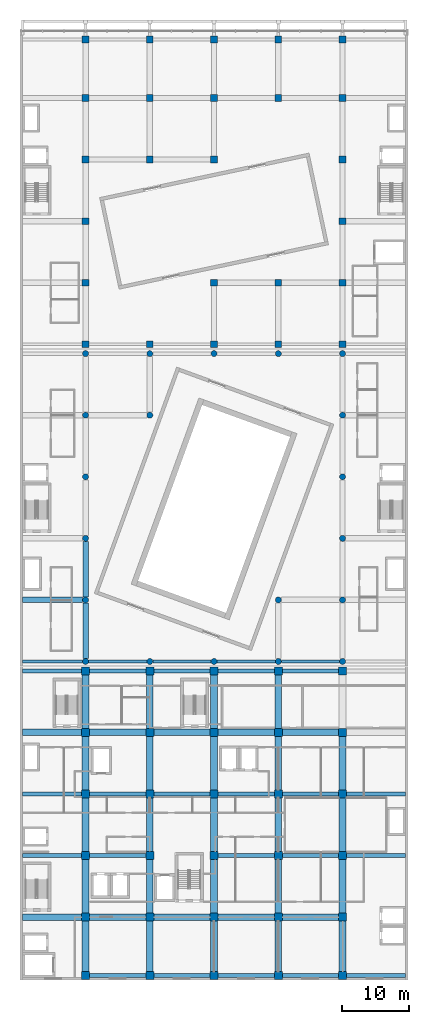
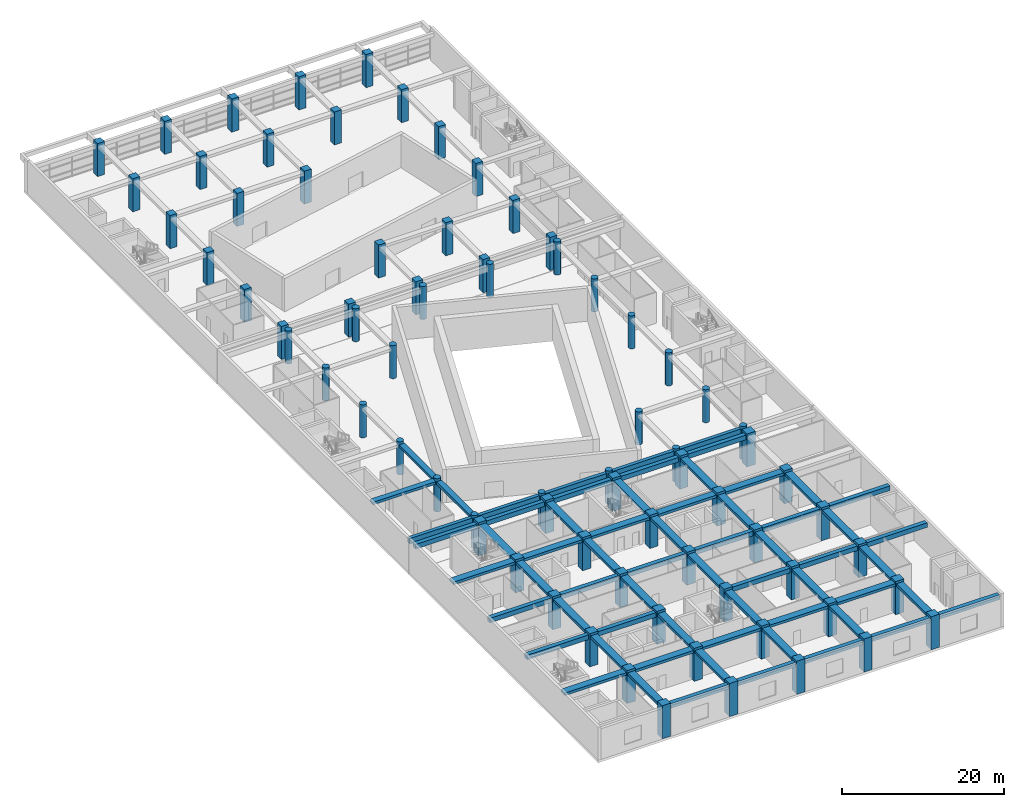
# One storey, part 1 of 31: 75 columns, 63 beams.
"""IFC4 building model written with IfcOpenShell, lengths in metres."""

from ifc_helpers import new_model, si_unit, direction, frame, origin, origin_2d, place, context, subcontext, project, spatial, rectangle, circle, extrude, material, material_profile, profile_set, type_object, element, save


model = new_model("IFC4")

# Units and contexts
model_context = context("Model", 3, precision=1e-05, world=origin(), true_north=direction((0.0, 1.0)))
body_context = subcontext(model_context, "Body", "Model", "MODEL_VIEW")
ifc_project = project(units=[si_unit("LENGTHUNIT", "METRE"), si_unit("AREAUNIT", "SQUARE_METRE"), si_unit("VOLUMEUNIT", "CUBIC_METRE"), si_unit("PLANEANGLEUNIT", "RADIAN"), si_unit("MASSUNIT", "GRAM", prefix="KILO")], contexts=[model_context])

# Site, building, storey
site_placement = place(None, origin())
site = spatial("IfcSite", under=ifc_project, at=site_placement, CompositionType="ELEMENT")
building_placement = place(site_placement, origin())
building = spatial("IfcBuilding", under=site, at=building_placement, Name="Nzadi Deep Aquarium and Research Tower", CompositionType="ELEMENT")
storey_placement = place(building_placement, frame((0.0, 0.0, 21.699951171875)))
storey = spatial("IfcBuildingStorey", under=building, at=storey_placement, Name="L03", CompositionType="ELEMENT", Elevation=21.699951171875)

# Columns
ifc_material_1 = material(Name="Concrete C40/50", Category="concrete")
ifc_material_profile_1 = material_profile(ifc_material_1, rectangle(XDim=1.0, YDim=1.0, at=origin_2d()))
ifc_profile_set_1 = profile_set([ifc_material_profile_1], Name="Concrete C40/50")
column_type_1 = type_object("IfcColumnType", Name="RC 1000x1000", PredefinedType="COLUMN", material=ifc_profile_set_1)
for number, where, z_axis, x_axis, name in (
    (1, (9.60009765625, 94.800048828125, 0.0), (0.0, 0.0, 1.0), (1.0, 0.0, 0.0), "C-Z3-L03-B13"),
    (2, (19.199951171875, 94.800048828125, 0.0), (0.0, 0.0, 1.0), (1.0, 0.0, 0.0), "C-Z3-L03-C13"),
    (3, (28.800048828125, 94.800048828125, 0.0), (0.0, 0.0, 1.0), (1.0, 0.0, 0.0), "C-Z3-L03-D13"),
    (4, (38.39990234375, 94.800048828125, 0.0), (0.0, 0.0, 1.0), (1.0, 0.0, 0.0), "C-Z3-L03-E13"),
    (5, (48.0, 94.800048828125, 0.0), (0.0, 0.0, 1.0), (1.0, 0.0, 0.0), "C-Z3-L03-F13"),
    (6, (9.60009765625, 104.0, 0.0), (0.0, 0.0, 1.0), (1.0, 0.0, 0.0), "C-Z3-L03-B14"),
    (7, (28.800048828125, 104.0, 0.0), (0.0, 0.0, 1.0), (1.0, 0.0, 0.0), "C-Z3-L03-D14"),
    (8, (38.39990234375, 104.0, 0.0), (0.0, 0.0, 1.0), (1.0, 0.0, 0.0), "C-Z3-L03-E14"),
    (9, (48.0, 104.0, 0.0), (0.0, 0.0, 1.0), (1.0, 0.0, 0.0), "C-Z3-L03-F14"),
    (10, (9.60009765625, 113.199951171875, 0.0), (0.0, 0.0, 1.0), (1.0, 0.0, 0.0), "C-Z3-L03-B15"),
    (11, (48.0, 113.199951171875, 0.0), (0.0, 0.0, 1.0), (1.0, 0.0, 0.0), "C-Z3-L03-F15"),
    (12, (9.60009765625, 122.39990234375, 0.0), (0.0, 0.0, 1.0), (1.0, 0.0, 0.0), "C-Z3-L03-B16"),
    (13, (19.199951171875, 122.39990234375, 0.0), (0.0, 0.0, 1.0), (1.0, 0.0, 0.0), "C-Z3-L03-C16"),
    (14, (28.800048828125, 122.39990234375, 0.0), (0.0, 0.0, 1.0), (1.0, 0.0, 0.0), "C-Z3-L03-D16"),
    (15, (48.0, 122.39990234375, 0.0), (0.0, 0.0, 1.0), (1.0, 0.0, 0.0), "C-Z3-L03-F16"),
    (16, (9.60009765625, 131.60009765625, 0.0), (0.0, 0.0, 1.0), (1.0, 0.0, 0.0), "C-Z3-L03-B17"),
    (17, (19.199951171875, 131.60009765625, 0.0), (0.0, 0.0, 1.0), (1.0, 0.0, 0.0), "C-Z3-L03-C17"),
    (18, (28.800048828125, 131.60009765625, 0.0), (0.0, 0.0, 1.0), (1.0, 0.0, 0.0), "C-Z3-L03-D17"),
    (19, (38.39990234375, 131.60009765625, 0.0), (0.0, 0.0, 1.0), (1.0, 0.0, 0.0), "C-Z3-L03-E17"),
    (20, (48.0, 131.60009765625, 0.0), (0.0, 0.0, 1.0), (1.0, 0.0, 0.0), "C-Z3-L03-F17"),
    (21, (9.60009765625, 140.35009765625, 0.0), (0.0, 0.0, 1.0), (1.0, 0.0, 0.0), "C-Z3-L03-B18"),
    (22, (19.199951171875, 140.35009765625, 0.0), (0.0, 0.0, 1.0), (1.0, 0.0, 0.0), "C-Z3-L03-C18"),
    (23, (28.800048828125, 140.35009765625, 0.0), (0.0, 0.0, 1.0), (1.0, 0.0, 0.0), "C-Z3-L03-D18"),
    (24, (38.39990234375, 140.35009765625, 0.0), (0.0, 0.0, 1.0), (1.0, 0.0, 0.0), "C-Z3-L03-E18"),
    (25, (48.0, 140.35009765625, 0.0), (0.0, 0.0, 1.0), (1.0, 0.0, 0.0), "C-Z3-L03-F18"),
):
    element("IfcColumn", number, at=place(storey_placement, frame(where, z_axis=z_axis, x_axis=x_axis)), inside=storey, type_object=column_type_1, Name=name, PredefinedType="COLUMN", context=body_context, shape_type="SweptSolid", body=[
        extrude(rectangle(XDim=1.0, YDim=1.0, at=origin_2d()), origin(), (0.0, 0.0, 1.0), 5.0),
    ])
ifc_material_2 = material(Name="Concrete C40/50", Category="concrete")
ifc_material_profile_2 = material_profile(ifc_material_2, rectangle(XDim=1.199951171875, YDim=1.199951171875, at=origin_2d()))
ifc_profile_set_2 = profile_set([ifc_material_profile_2], Name="Concrete C40/50")
column_type_2 = type_object("IfcColumnType", Name="RC 1200x1200", PredefinedType="COLUMN", material=ifc_profile_set_2)
for number, where, z_axis, x_axis, name in (
    (26, (9.60009765625, 0.449951171875, 0.0), (0.0, 0.0, 1.0), (1.0, 0.0, 0.0), "C-Z1-L03-B1"),
    (27, (19.199951171875, 0.449951171875, 0.0), (0.0, 0.0, 1.0), (1.0, 0.0, 0.0), "C-Z1-L03-C1"),
    (28, (28.800048828125, 0.449951171875, 0.0), (0.0, 0.0, 1.0), (1.0, 0.0, 0.0), "C-Z1-L03-D1"),
    (29, (38.39990234375, 0.449951171875, 0.0), (0.0, 0.0, 1.0), (1.0, 0.0, 0.0), "C-Z1-L03-E1"),
    (30, (48.0, 0.449951171875, 0.0), (0.0, 0.0, 1.0), (1.0, 0.0, 0.0), "C-Z1-L03-F1"),
    (31, (9.60009765625, 9.199951171875, 0.0), (0.0, 0.0, 1.0), (1.0, 0.0, 0.0), "C-Z1-L03-B2"),
    (32, (19.199951171875, 9.199951171875, 0.0), (0.0, 0.0, 1.0), (1.0, 0.0, 0.0), "C-Z1-L03-C2"),
    (33, (28.800048828125, 9.199951171875, 0.0), (0.0, 0.0, 1.0), (1.0, 0.0, 0.0), "C-Z1-L03-D2"),
    (34, (38.39990234375, 9.199951171875, 0.0), (0.0, 0.0, 1.0), (1.0, 0.0, 0.0), "C-Z1-L03-E2"),
    (35, (48.0, 9.199951171875, 0.0), (0.0, 0.0, 1.0), (1.0, 0.0, 0.0), "C-Z1-L03-F2"),
    (36, (9.60009765625, 18.39990234375, 0.0), (0.0, 0.0, 1.0), (1.0, 0.0, 0.0), "C-Z1-L03-B3"),
    (37, (19.199951171875, 18.39990234375, 0.0), (0.0, 0.0, 1.0), (1.0, 0.0, 0.0), "C-Z1-L03-C3"),
    (38, (28.800048828125, 18.39990234375, 0.0), (0.0, 0.0, 1.0), (1.0, 0.0, 0.0), "C-Z1-L03-D3"),
    (39, (38.39990234375, 18.39990234375, 0.0), (0.0, 0.0, 1.0), (1.0, 0.0, 0.0), "C-Z1-L03-E3"),
    (40, (48.0, 18.39990234375, 0.0), (0.0, 0.0, 1.0), (1.0, 0.0, 0.0), "C-Z1-L03-F3"),
    (41, (9.60009765625, 27.60009765625, 0.0), (0.0, 0.0, 1.0), (1.0, 0.0, 0.0), "C-Z1-L03-B4"),
    (42, (19.199951171875, 27.60009765625, 0.0), (0.0, 0.0, 1.0), (1.0, 0.0, 0.0), "C-Z1-L03-C4"),
    (43, (28.800048828125, 27.60009765625, 0.0), (0.0, 0.0, 1.0), (1.0, 0.0, 0.0), "C-Z1-L03-D4"),
    (44, (38.39990234375, 27.60009765625, 0.0), (0.0, 0.0, 1.0), (1.0, 0.0, 0.0), "C-Z1-L03-E4"),
    (45, (48.0, 27.60009765625, 0.0), (0.0, 0.0, 1.0), (1.0, 0.0, 0.0), "C-Z1-L03-F4"),
    (46, (9.60009765625, 36.800048828125, 0.0), (0.0, 0.0, 1.0), (1.0, 0.0, 0.0), "C-Z1-L03-B5"),
    (47, (19.199951171875, 36.800048828125, 0.0), (0.0, 0.0, 1.0), (1.0, 0.0, 0.0), "C-Z1-L03-C5"),
    (48, (28.800048828125, 36.800048828125, 0.0), (0.0, 0.0, 1.0), (1.0, 0.0, 0.0), "C-Z1-L03-D5"),
    (49, (38.39990234375, 36.800048828125, 0.0), (0.0, 0.0, 1.0), (1.0, 0.0, 0.0), "C-Z1-L03-E5"),
    (50, (48.0, 36.800048828125, 0.0), (0.0, 0.0, 1.0), (1.0, 0.0, 0.0), "C-Z1-L03-F5"),
    (51, (9.60009765625, 46.0, 0.0), (0.0, 0.0, 1.0), (1.0, 0.0, 0.0), "C-Z1-L03-B6"),
    (52, (19.199951171875, 46.0, 0.0), (0.0, 0.0, 1.0), (1.0, 0.0, 0.0), "C-Z1-L03-C6"),
    (53, (28.800048828125, 46.0, 0.0), (0.0, 0.0, 1.0), (1.0, 0.0, 0.0), "C-Z1-L03-D6"),
    (54, (38.39990234375, 46.0, 0.0), (0.0, 0.0, 1.0), (1.0, 0.0, 0.0), "C-Z1-L03-E6"),
    (55, (48.0, 46.0, 0.0), (0.0, 0.0, 1.0), (1.0, 0.0, 0.0), "C-Z1-L03-F6"),
):
    element("IfcColumn", number, at=place(storey_placement, frame(where, z_axis=z_axis, x_axis=x_axis)), inside=storey, type_object=column_type_2, Name=name, PredefinedType="COLUMN", context=body_context, shape_type="SweptSolid", body=[
        extrude(rectangle(XDim=1.199951171875, YDim=1.199951171875, at=origin_2d()), origin(), (0.0, 0.0, 1.0), 5.0),
    ])
ifc_material_3 = material(Name="Concrete C40/50", Category="concrete")
ifc_material_profile_3 = material_profile(ifc_material_3, circle(Radius=0.449951171875, at=origin_2d()))
ifc_profile_set_3 = profile_set([ifc_material_profile_3], Name="Concrete C40/50")
column_type_3 = type_object("IfcColumnType", Name="RC D900", PredefinedType="COLUMN", material=ifc_profile_set_3)
for number, where, z_axis, x_axis, name in (
    (56, (9.60009765625, 47.39990234375, 0.0), (0.0, 0.0, 1.0), (1.0, 0.0, 0.0), "C-Z2-L03-B7"),
    (57, (19.199951171875, 47.39990234375, 0.0), (0.0, 0.0, 1.0), (1.0, 0.0, 0.0), "C-Z2-L03-C7"),
    (58, (28.800048828125, 47.39990234375, 0.0), (0.0, 0.0, 1.0), (1.0, 0.0, 0.0), "C-Z2-L03-D7"),
    (59, (38.39990234375, 47.39990234375, 0.0), (0.0, 0.0, 1.0), (1.0, 0.0, 0.0), "C-Z2-L03-E7"),
    (60, (48.0, 47.39990234375, 0.0), (0.0, 0.0, 1.0), (1.0, 0.0, 0.0), "C-Z2-L03-F7"),
    (61, (9.60009765625, 56.60009765625, 0.0), (0.0, 0.0, 1.0), (1.0, 0.0, 0.0), "C-Z2-L03-B8"),
    (62, (38.39990234375, 56.60009765625, 0.0), (0.0, 0.0, 1.0), (1.0, 0.0, 0.0), "C-Z2-L03-E8"),
    (63, (48.0, 56.60009765625, 0.0), (0.0, 0.0, 1.0), (1.0, 0.0, 0.0), "C-Z2-L03-F8"),
    (64, (9.60009765625, 65.800048828125, 0.0), (0.0, 0.0, 1.0), (1.0, 0.0, 0.0), "C-Z2-L03-B9"),
    (65, (48.0, 65.800048828125, 0.0), (0.0, 0.0, 1.0), (1.0, 0.0, 0.0), "C-Z2-L03-F9"),
    (66, (9.60009765625, 75.0, 0.0), (0.0, 0.0, 1.0), (1.0, 0.0, 0.0), "C-Z2-L03-B10"),
    (67, (48.0, 75.0, 0.0), (0.0, 0.0, 1.0), (1.0, 0.0, 0.0), "C-Z2-L03-F10"),
    (68, (9.60009765625, 84.199951171875, 0.0), (0.0, 0.0, 1.0), (1.0, 0.0, 0.0), "C-Z2-L03-B11"),
    (69, (19.199951171875, 84.199951171875, 0.0), (0.0, 0.0, 1.0), (1.0, 0.0, 0.0), "C-Z2-L03-C11"),
    (70, (48.0, 84.199951171875, 0.0), (0.0, 0.0, 1.0), (1.0, 0.0, 0.0), "C-Z2-L03-F11"),
    (71, (9.60009765625, 93.39990234375, 0.0), (0.0, 0.0, 1.0), (1.0, 0.0, 0.0), "C-Z2-L03-B12"),
    (72, (19.199951171875, 93.39990234375, 0.0), (0.0, 0.0, 1.0), (1.0, 0.0, 0.0), "C-Z2-L03-C12"),
    (73, (28.800048828125, 93.39990234375, 0.0), (0.0, 0.0, 1.0), (1.0, 0.0, 0.0), "C-Z2-L03-D12"),
    (74, (38.39990234375, 93.39990234375, 0.0), (0.0, 0.0, 1.0), (1.0, 0.0, 0.0), "C-Z2-L03-E12"),
    (75, (48.0, 93.39990234375, 0.0), (0.0, 0.0, 1.0), (1.0, 0.0, 0.0), "C-Z2-L03-F12"),
):
    element("IfcColumn", number, at=place(storey_placement, frame(where, z_axis=z_axis, x_axis=x_axis)), inside=storey, type_object=column_type_3, Name=name, PredefinedType="COLUMN", context=body_context, shape_type="SweptSolid", body=[
        extrude(circle(Radius=0.449951171875, at=origin_2d()), origin(), (0.0, 0.0, 1.0), 5.0),
    ])

# Beams
ifc_material_4 = material(Name="Concrete C35/45", Category="concrete")
ifc_material_profile_4 = material_profile(ifc_material_4, rectangle(XDim=1.0, YDim=0.39990234375, at=origin_2d()))
ifc_profile_set_4 = profile_set([ifc_material_profile_4], Name="Concrete C35/45")
beam_type_1 = type_object("IfcBeamType", Name="RC 1000x400", PredefinedType="BEAM", material=ifc_profile_set_4)
beam_1_placement = place(storey_placement, frame((0.199951171875, 9.199951171875, 4.449951171875), z_axis=(1.0, 0.0, 0.0), x_axis=(0.0, 1.0, 0.0)))
element("IfcBeam", 76, at=beam_1_placement, inside=storey, type_object=beam_type_1, Name="B-Z1-L03-L2-1", PredefinedType="BEAM", context=body_context, shape_type="SweptSolid", body=[
    extrude(rectangle(XDim=1.0, YDim=0.39990234375, at=origin_2d()), origin(), (0.0, 0.0, 1.0), 8.800048828125),
])
beam_2_placement = place(storey_placement, frame((10.199951171875, 9.199951171875, 4.449951171875), z_axis=(1.0, 0.0, 0.0), x_axis=(0.0, 1.0, 0.0)))
element("IfcBeam", 77, at=beam_2_placement, inside=storey, type_object=beam_type_1, Name="B-Z1-L03-L2-2", PredefinedType="BEAM", context=body_context, shape_type="SweptSolid", body=[
    extrude(rectangle(XDim=1.0, YDim=0.39990234375, at=origin_2d()), origin(), (0.0, 0.0, 1.0), 8.400146484375),
])
beam_3_placement = place(storey_placement, frame((19.800048828125, 9.199951171875, 4.449951171875), z_axis=(1.0, 0.0, 0.0), x_axis=(0.0, 1.0, 0.0)))
element("IfcBeam", 78, at=beam_3_placement, inside=storey, type_object=beam_type_1, Name="B-Z1-L03-L2-3", PredefinedType="BEAM", context=body_context, shape_type="SweptSolid", body=[
    extrude(rectangle(XDim=1.0, YDim=0.39990234375, at=origin_2d()), origin(), (0.0, 0.0, 1.0), 8.39990234375),
])
beam_4_placement = place(storey_placement, frame((29.39990234375, 9.199951171875, 4.449951171875), z_axis=(1.0, 0.0, 0.0), x_axis=(0.0, 1.0, 0.0)))
element("IfcBeam", 79, at=beam_4_placement, inside=storey, type_object=beam_type_1, Name="B-Z1-L03-L2-4", PredefinedType="BEAM", context=body_context, shape_type="SweptSolid", body=[
    extrude(rectangle(XDim=1.0, YDim=0.39990234375, at=origin_2d()), origin(), (0.0, 0.0, 1.0), 8.400146484375),
])
beam_5_placement = place(storey_placement, frame((39.0, 9.199951171875, 4.449951171875), z_axis=(1.0, 0.0, 0.0), x_axis=(0.0, 1.0, 0.0)))
element("IfcBeam", 80, at=beam_5_placement, inside=storey, type_object=beam_type_1, Name="B-Z1-L03-L2-5", PredefinedType="BEAM", context=body_context, shape_type="SweptSolid", body=[
    extrude(rectangle(XDim=1.0, YDim=0.39990234375, at=origin_2d()), origin(), (0.0, 0.0, 1.0), 8.39990234375),
])
beam_6_placement = place(storey_placement, frame((0.199951171875, 36.800048828125, 4.449951171875), z_axis=(1.0, 0.0, 0.0), x_axis=(0.0, 1.0, 0.0)))
element("IfcBeam", 81, at=beam_6_placement, inside=storey, type_object=beam_type_1, Name="B-Z1-L03-L5-1", PredefinedType="BEAM", context=body_context, shape_type="SweptSolid", body=[
    extrude(rectangle(XDim=1.0, YDim=0.39990234375, at=origin_2d()), origin(), (0.0, 0.0, 1.0), 8.800048828125),
])
beam_7_placement = place(storey_placement, frame((10.199951171875, 36.800048828125, 4.449951171875), z_axis=(1.0, 0.0, 0.0), x_axis=(0.0, 1.0, 0.0)))
element("IfcBeam", 82, at=beam_7_placement, inside=storey, type_object=beam_type_1, Name="B-Z1-L03-L5-2", PredefinedType="BEAM", context=body_context, shape_type="SweptSolid", body=[
    extrude(rectangle(XDim=1.0, YDim=0.39990234375, at=origin_2d()), origin(), (0.0, 0.0, 1.0), 8.400146484375),
])
beam_8_placement = place(storey_placement, frame((19.800048828125, 36.800048828125, 4.449951171875), z_axis=(1.0, 0.0, 0.0), x_axis=(0.0, 1.0, 0.0)))
element("IfcBeam", 83, at=beam_8_placement, inside=storey, type_object=beam_type_1, Name="B-Z1-L03-L5-3", PredefinedType="BEAM", context=body_context, shape_type="SweptSolid", body=[
    extrude(rectangle(XDim=1.0, YDim=0.39990234375, at=origin_2d()), origin(), (0.0, 0.0, 1.0), 8.39990234375),
])
beam_9_placement = place(storey_placement, frame((29.39990234375, 36.800048828125, 4.449951171875), z_axis=(1.0, 0.0, 0.0), x_axis=(0.0, 1.0, 0.0)))
element("IfcBeam", 84, at=beam_9_placement, inside=storey, type_object=beam_type_1, Name="B-Z1-L03-L5-4", PredefinedType="BEAM", context=body_context, shape_type="SweptSolid", body=[
    extrude(rectangle(XDim=1.0, YDim=0.39990234375, at=origin_2d()), origin(), (0.0, 0.0, 1.0), 8.400146484375),
])
beam_10_placement = place(storey_placement, frame((39.0, 36.800048828125, 4.449951171875), z_axis=(1.0, 0.0, 0.0), x_axis=(0.0, 1.0, 0.0)))
element("IfcBeam", 85, at=beam_10_placement, inside=storey, type_object=beam_type_1, Name="B-Z1-L03-L5-5", PredefinedType="BEAM", context=body_context, shape_type="SweptSolid", body=[
    extrude(rectangle(XDim=1.0, YDim=0.39990234375, at=origin_2d()), origin(), (0.0, 0.0, 1.0), 8.39990234375),
])
beam_11_placement = place(storey_placement, frame((9.60009765625, 1.050048828125, 4.449951171875), z_axis=(0.0, 1.0, 0.0), x_axis=(-1.0, 0.0, 0.0)))
element("IfcBeam", 86, at=beam_11_placement, inside=storey, type_object=beam_type_1, Name="B-Z1-L03-CB-1-1", PredefinedType="BEAM", context=body_context, shape_type="SweptSolid", body=[
    extrude(rectangle(XDim=1.0, YDim=0.39990234375, at=origin_2d()), origin(), (0.0, 0.0, 1.0), 7.550048828125),
])
for number, where, z_axis, x_axis, name in (
    (87, (9.60009765625, 9.800048828125, 4.449951171875), (0.0, 1.0, 0.0), (-1.0, 0.0, 0.0), "B-Z1-L03-CB-2-1"),
    (88, (9.60009765625, 19.0, 4.449951171875), (0.0, 1.0, 0.0), (-1.0, 0.0, 0.0), "B-Z1-L03-CB-3-1"),
    (89, (9.60009765625, 28.199951171875, 4.449951171875), (0.0, 1.0, 0.0), (-1.0, 0.0, 0.0), "B-Z1-L03-CB-4-1"),
    (90, (9.60009765625, 37.39990234375, 4.449951171875), (0.0, 1.0, 0.0), (-1.0, 0.0, 0.0), "B-Z1-L03-CB-5-1"),
):
    element("IfcBeam", number, at=place(storey_placement, frame(where, z_axis=z_axis, x_axis=x_axis)), inside=storey, type_object=beam_type_1, Name=name, PredefinedType="BEAM", context=body_context, shape_type="SweptSolid", body=[
        extrude(rectangle(XDim=1.0, YDim=0.39990234375, at=origin_2d()), origin(), (0.0, 0.0, 1.0), 8.0),
    ])
beam_12_placement = place(storey_placement, frame((19.199951171875, 1.050048828125, 4.449951171875), z_axis=(0.0, 1.0, 0.0), x_axis=(-1.0, 0.0, 0.0)))
element("IfcBeam", 91, at=beam_12_placement, inside=storey, type_object=beam_type_1, Name="B-Z1-L03-CC-1-1", PredefinedType="BEAM", context=body_context, shape_type="SweptSolid", body=[
    extrude(rectangle(XDim=1.0, YDim=0.39990234375, at=origin_2d()), origin(), (0.0, 0.0, 1.0), 7.550048828125),
])
for number, where, z_axis, x_axis, name in (
    (92, (19.199951171875, 9.800048828125, 4.449951171875), (0.0, 1.0, 0.0), (-1.0, 0.0, 0.0), "B-Z1-L03-CC-2-1"),
    (93, (19.199951171875, 19.0, 4.449951171875), (0.0, 1.0, 0.0), (-1.0, 0.0, 0.0), "B-Z1-L03-CC-3-1"),
    (94, (19.199951171875, 28.199951171875, 4.449951171875), (0.0, 1.0, 0.0), (-1.0, 0.0, 0.0), "B-Z1-L03-CC-4-1"),
    (95, (19.199951171875, 37.39990234375, 4.449951171875), (0.0, 1.0, 0.0), (-1.0, 0.0, 0.0), "B-Z1-L03-CC-5-1"),
):
    element("IfcBeam", number, at=place(storey_placement, frame(where, z_axis=z_axis, x_axis=x_axis)), inside=storey, type_object=beam_type_1, Name=name, PredefinedType="BEAM", context=body_context, shape_type="SweptSolid", body=[
        extrude(rectangle(XDim=1.0, YDim=0.39990234375, at=origin_2d()), origin(), (0.0, 0.0, 1.0), 8.0),
    ])
beam_13_placement = place(storey_placement, frame((28.800048828125, 1.050048828125, 4.449951171875), z_axis=(0.0, 1.0, 0.0), x_axis=(-1.0, 0.0, 0.0)))
element("IfcBeam", 96, at=beam_13_placement, inside=storey, type_object=beam_type_1, Name="B-Z1-L03-CD-1-1", PredefinedType="BEAM", context=body_context, shape_type="SweptSolid", body=[
    extrude(rectangle(XDim=1.0, YDim=0.39990234375, at=origin_2d()), origin(), (0.0, 0.0, 1.0), 7.550048828125),
])
for number, where, z_axis, x_axis, name in (
    (97, (28.800048828125, 9.800048828125, 4.449951171875), (0.0, 1.0, 0.0), (-1.0, 0.0, 0.0), "B-Z1-L03-CD-2-1"),
    (98, (28.800048828125, 19.0, 4.449951171875), (0.0, 1.0, 0.0), (-1.0, 0.0, 0.0), "B-Z1-L03-CD-3-1"),
    (99, (28.800048828125, 28.199951171875, 4.449951171875), (0.0, 1.0, 0.0), (-1.0, 0.0, 0.0), "B-Z1-L03-CD-4-1"),
    (100, (28.800048828125, 37.39990234375, 4.449951171875), (0.0, 1.0, 0.0), (-1.0, 0.0, 0.0), "B-Z1-L03-CD-5-1"),
):
    element("IfcBeam", number, at=place(storey_placement, frame(where, z_axis=z_axis, x_axis=x_axis)), inside=storey, type_object=beam_type_1, Name=name, PredefinedType="BEAM", context=body_context, shape_type="SweptSolid", body=[
        extrude(rectangle(XDim=1.0, YDim=0.39990234375, at=origin_2d()), origin(), (0.0, 0.0, 1.0), 8.0),
    ])
beam_14_placement = place(storey_placement, frame((38.39990234375, 1.050048828125, 4.449951171875), z_axis=(0.0, 1.0, 0.0), x_axis=(-1.0, 0.0, 0.0)))
element("IfcBeam", 101, at=beam_14_placement, inside=storey, type_object=beam_type_1, Name="B-Z1-L03-CE-1-1", PredefinedType="BEAM", context=body_context, shape_type="SweptSolid", body=[
    extrude(rectangle(XDim=1.0, YDim=0.39990234375, at=origin_2d()), origin(), (0.0, 0.0, 1.0), 7.550048828125),
])
for number, where, z_axis, x_axis, name in (
    (102, (38.39990234375, 9.800048828125, 4.449951171875), (0.0, 1.0, 0.0), (-1.0, 0.0, 0.0), "B-Z1-L03-CE-2-1"),
    (103, (38.39990234375, 19.0, 4.449951171875), (0.0, 1.0, 0.0), (-1.0, 0.0, 0.0), "B-Z1-L03-CE-3-1"),
    (104, (38.39990234375, 28.199951171875, 4.449951171875), (0.0, 1.0, 0.0), (-1.0, 0.0, 0.0), "B-Z1-L03-CE-4-1"),
    (105, (38.39990234375, 37.39990234375, 4.449951171875), (0.0, 1.0, 0.0), (-1.0, 0.0, 0.0), "B-Z1-L03-CE-5-1"),
):
    element("IfcBeam", number, at=place(storey_placement, frame(where, z_axis=z_axis, x_axis=x_axis)), inside=storey, type_object=beam_type_1, Name=name, PredefinedType="BEAM", context=body_context, shape_type="SweptSolid", body=[
        extrude(rectangle(XDim=1.0, YDim=0.39990234375, at=origin_2d()), origin(), (0.0, 0.0, 1.0), 8.0),
    ])
beam_15_placement = place(storey_placement, frame((48.0, 1.050048828125, 4.449951171875), z_axis=(0.0, 1.0, 0.0), x_axis=(-1.0, 0.0, 0.0)))
element("IfcBeam", 106, at=beam_15_placement, inside=storey, type_object=beam_type_1, Name="B-Z1-L03-CF-1-1", PredefinedType="BEAM", context=body_context, shape_type="SweptSolid", body=[
    extrude(rectangle(XDim=1.0, YDim=0.39990234375, at=origin_2d()), origin(), (0.0, 0.0, 1.0), 7.550048828125),
])
for number, where, z_axis, x_axis, name in (
    (107, (48.0, 9.800048828125, 4.449951171875), (0.0, 1.0, 0.0), (-1.0, 0.0, 0.0), "B-Z1-L03-CF-2-1"),
    (108, (48.0, 19.0, 4.449951171875), (0.0, 1.0, 0.0), (-1.0, 0.0, 0.0), "B-Z1-L03-CF-3-1"),
    (109, (48.0, 28.199951171875, 4.449951171875), (0.0, 1.0, 0.0), (-1.0, 0.0, 0.0), "B-Z1-L03-CF-4-1"),
):
    element("IfcBeam", number, at=place(storey_placement, frame(where, z_axis=z_axis, x_axis=x_axis)), inside=storey, type_object=beam_type_1, Name=name, PredefinedType="BEAM", context=body_context, shape_type="SweptSolid", body=[
        extrude(rectangle(XDim=1.0, YDim=0.39990234375, at=origin_2d()), origin(), (0.0, 0.0, 1.0), 8.0),
    ])
ifc_material_5 = material(Name="Concrete C40/50", Category="concrete")
ifc_material_profile_5 = material_profile(ifc_material_5, rectangle(XDim=0.5, YDim=0.800048828125, at=origin_2d()))
ifc_profile_set_5 = profile_set([ifc_material_profile_5], Name="Concrete C40/50")
beam_type_2 = type_object("IfcBeamType", Name="RC 500x800", PredefinedType="BEAM", material=ifc_profile_set_5)
beam_16_placement = place(storey_placement, frame((0.199951171875, 47.39990234375, 4.25), z_axis=(1.0, 0.0, 0.0), x_axis=(0.0, 1.0, 0.0)))
element("IfcBeam", 110, at=beam_16_placement, inside=storey, type_object=beam_type_2, Name="B-Z2-L03-L7-1", PredefinedType="BEAM", context=body_context, shape_type="SweptSolid", body=[
    extrude(rectangle(XDim=0.5, YDim=0.800048828125, at=origin_2d()), origin(), (0.0, 0.0, 1.0), 8.949951171875),
])
beam_17_placement = place(storey_placement, frame((10.050048828125, 47.39990234375, 4.25), z_axis=(1.0, 0.0, 0.0), x_axis=(0.0, 1.0, 0.0)))
element("IfcBeam", 111, at=beam_17_placement, inside=storey, type_object=beam_type_2, Name="B-Z2-L03-L7-2", PredefinedType="BEAM", context=body_context, shape_type="SweptSolid", body=[
    extrude(rectangle(XDim=0.5, YDim=0.800048828125, at=origin_2d()), origin(), (0.0, 0.0, 1.0), 8.699951171875),
])
beam_18_placement = place(storey_placement, frame((19.64990234375, 47.39990234375, 4.25), z_axis=(1.0, 0.0, 0.0), x_axis=(0.0, 1.0, 0.0)))
element("IfcBeam", 112, at=beam_18_placement, inside=storey, type_object=beam_type_2, Name="B-Z2-L03-L7-3", PredefinedType="BEAM", context=body_context, shape_type="SweptSolid", body=[
    extrude(rectangle(XDim=0.5, YDim=0.800048828125, at=origin_2d()), origin(), (0.0, 0.0, 1.0), 8.7001953125),
])
for number, where, z_axis, x_axis, name in (
    (113, (29.25, 47.39990234375, 4.25), (1.0, 0.0, 0.0), (0.0, 1.0, 0.0), "B-Z2-L03-L7-4"),
    (114, (38.85009765625, 47.39990234375, 4.25), (1.0, 0.0, 0.0), (0.0, 1.0, 0.0), "B-Z2-L03-L7-5"),
):
    element("IfcBeam", number, at=place(storey_placement, frame(where, z_axis=z_axis, x_axis=x_axis)), inside=storey, type_object=beam_type_2, Name=name, PredefinedType="BEAM", context=body_context, shape_type="SweptSolid", body=[
        extrude(rectangle(XDim=0.5, YDim=0.800048828125, at=origin_2d()), origin(), (0.0, 0.0, 1.0), 8.699951171875),
    ])
ifc_material_6 = material(Name="Concrete C35/45", Category="concrete")
ifc_material_profile_6 = material_profile(ifc_material_6, rectangle(XDim=0.60009765625, YDim=0.699951171875, at=origin_2d()))
ifc_profile_set_6 = profile_set([ifc_material_profile_6], Name="Concrete C35/45")
beam_type_3 = type_object("IfcBeamType", Name="RC 600x700", PredefinedType="BEAM", material=ifc_profile_set_6)
beam_19_placement = place(storey_placement, frame((10.199951171875, 0.449951171875, 4.300048828125), z_axis=(1.0, 0.0, 0.0), x_axis=(0.0, 1.0, 0.0)))
element("IfcBeam", 115, at=beam_19_placement, inside=storey, type_object=beam_type_3, Name="B-Z1-L03-L1-2", PredefinedType="BEAM", context=body_context, shape_type="SweptSolid", body=[
    extrude(rectangle(XDim=0.60009765625, YDim=0.699951171875, at=origin_2d()), origin(), (0.0, 0.0, 1.0), 8.400146484375),
])
beam_20_placement = place(storey_placement, frame((19.800048828125, 0.449951171875, 4.300048828125), z_axis=(1.0, 0.0, 0.0), x_axis=(0.0, 1.0, 0.0)))
element("IfcBeam", 116, at=beam_20_placement, inside=storey, type_object=beam_type_3, Name="B-Z1-L03-L1-3", PredefinedType="BEAM", context=body_context, shape_type="SweptSolid", body=[
    extrude(rectangle(XDim=0.60009765625, YDim=0.699951171875, at=origin_2d()), origin(), (0.0, 0.0, 1.0), 8.39990234375),
])
beam_21_placement = place(storey_placement, frame((29.39990234375, 0.449951171875, 4.300048828125), z_axis=(1.0, 0.0, 0.0), x_axis=(0.0, 1.0, 0.0)))
element("IfcBeam", 117, at=beam_21_placement, inside=storey, type_object=beam_type_3, Name="B-Z1-L03-L1-4", PredefinedType="BEAM", context=body_context, shape_type="SweptSolid", body=[
    extrude(rectangle(XDim=0.60009765625, YDim=0.699951171875, at=origin_2d()), origin(), (0.0, 0.0, 1.0), 8.400146484375),
])
beam_22_placement = place(storey_placement, frame((39.0, 0.449951171875, 4.300048828125), z_axis=(1.0, 0.0, 0.0), x_axis=(0.0, 1.0, 0.0)))
element("IfcBeam", 118, at=beam_22_placement, inside=storey, type_object=beam_type_3, Name="B-Z1-L03-L1-5", PredefinedType="BEAM", context=body_context, shape_type="SweptSolid", body=[
    extrude(rectangle(XDim=0.60009765625, YDim=0.699951171875, at=origin_2d()), origin(), (0.0, 0.0, 1.0), 8.39990234375),
])
beam_23_placement = place(storey_placement, frame((48.60009765625, 0.449951171875, 4.300048828125), z_axis=(1.0, 0.0, 0.0), x_axis=(0.0, 1.0, 0.0)))
element("IfcBeam", 119, at=beam_23_placement, inside=storey, type_object=beam_type_3, Name="B-Z1-L03-L1-6", PredefinedType="BEAM", context=body_context, shape_type="SweptSolid", body=[
    extrude(rectangle(XDim=0.60009765625, YDim=0.699951171875, at=origin_2d()), origin(), (0.0, 0.0, 1.0), 8.7998046875),
])
beam_24_placement = place(storey_placement, frame((0.199951171875, 18.39990234375, 4.300048828125), z_axis=(1.0, 0.0, 0.0), x_axis=(0.0, 1.0, 0.0)))
element("IfcBeam", 120, at=beam_24_placement, inside=storey, type_object=beam_type_3, Name="B-Z1-L03-L3-1", PredefinedType="BEAM", context=body_context, shape_type="SweptSolid", body=[
    extrude(rectangle(XDim=0.60009765625, YDim=0.699951171875, at=origin_2d()), origin(), (0.0, 0.0, 1.0), 8.800048828125),
])
for number, where, z_axis, x_axis, name in (
    (121, (10.199951171875, 18.39990234375, 4.300048828125), (1.0, 0.0, 0.0), (0.0, 1.0, 0.0), "B-Z1-L03-L3-2"),
    (122, (29.39990234375, 18.39990234375, 4.300048828125), (1.0, 0.0, 0.0), (0.0, 1.0, 0.0), "B-Z1-L03-L3-4"),
):
    element("IfcBeam", number, at=place(storey_placement, frame(where, z_axis=z_axis, x_axis=x_axis)), inside=storey, type_object=beam_type_3, Name=name, PredefinedType="BEAM", context=body_context, shape_type="SweptSolid", body=[
        extrude(rectangle(XDim=0.60009765625, YDim=0.699951171875, at=origin_2d()), origin(), (0.0, 0.0, 1.0), 8.400146484375),
    ])
beam_25_placement = place(storey_placement, frame((39.0, 18.39990234375, 4.300048828125), z_axis=(1.0, 0.0, 0.0), x_axis=(0.0, 1.0, 0.0)))
element("IfcBeam", 123, at=beam_25_placement, inside=storey, type_object=beam_type_3, Name="B-Z1-L03-L3-5", PredefinedType="BEAM", context=body_context, shape_type="SweptSolid", body=[
    extrude(rectangle(XDim=0.60009765625, YDim=0.699951171875, at=origin_2d()), origin(), (0.0, 0.0, 1.0), 8.39990234375),
])
beam_26_placement = place(storey_placement, frame((48.60009765625, 18.39990234375, 4.300048828125), z_axis=(1.0, 0.0, 0.0), x_axis=(0.0, 1.0, 0.0)))
element("IfcBeam", 124, at=beam_26_placement, inside=storey, type_object=beam_type_3, Name="B-Z1-L03-L3-6", PredefinedType="BEAM", context=body_context, shape_type="SweptSolid", body=[
    extrude(rectangle(XDim=0.60009765625, YDim=0.699951171875, at=origin_2d()), origin(), (0.0, 0.0, 1.0), 8.7998046875),
])
beam_27_placement = place(storey_placement, frame((0.199951171875, 27.60009765625, 4.300048828125), z_axis=(1.0, 0.0, 0.0), x_axis=(0.0, 1.0, 0.0)))
element("IfcBeam", 125, at=beam_27_placement, inside=storey, type_object=beam_type_3, Name="B-Z1-L03-L4-1", PredefinedType="BEAM", context=body_context, shape_type="SweptSolid", body=[
    extrude(rectangle(XDim=0.60009765625, YDim=0.699951171875, at=origin_2d()), origin(), (0.0, 0.0, 1.0), 8.800048828125),
])
beam_28_placement = place(storey_placement, frame((10.199951171875, 27.60009765625, 4.300048828125), z_axis=(1.0, 0.0, 0.0), x_axis=(0.0, 1.0, 0.0)))
element("IfcBeam", 126, at=beam_28_placement, inside=storey, type_object=beam_type_3, Name="B-Z1-L03-L4-2", PredefinedType="BEAM", context=body_context, shape_type="SweptSolid", body=[
    extrude(rectangle(XDim=0.60009765625, YDim=0.699951171875, at=origin_2d()), origin(), (0.0, 0.0, 1.0), 8.400146484375),
])
beam_29_placement = place(storey_placement, frame((19.800048828125, 27.60009765625, 4.300048828125), z_axis=(1.0, 0.0, 0.0), x_axis=(0.0, 1.0, 0.0)))
element("IfcBeam", 127, at=beam_29_placement, inside=storey, type_object=beam_type_3, Name="B-Z1-L03-L4-3", PredefinedType="BEAM", context=body_context, shape_type="SweptSolid", body=[
    extrude(rectangle(XDim=0.60009765625, YDim=0.699951171875, at=origin_2d()), origin(), (0.0, 0.0, 1.0), 8.39990234375),
])
beam_30_placement = place(storey_placement, frame((29.39990234375, 27.60009765625, 4.300048828125), z_axis=(1.0, 0.0, 0.0), x_axis=(0.0, 1.0, 0.0)))
element("IfcBeam", 128, at=beam_30_placement, inside=storey, type_object=beam_type_3, Name="B-Z1-L03-L4-4", PredefinedType="BEAM", context=body_context, shape_type="SweptSolid", body=[
    extrude(rectangle(XDim=0.60009765625, YDim=0.699951171875, at=origin_2d()), origin(), (0.0, 0.0, 1.0), 8.400146484375),
])
beam_31_placement = place(storey_placement, frame((39.0, 27.60009765625, 4.300048828125), z_axis=(1.0, 0.0, 0.0), x_axis=(0.0, 1.0, 0.0)))
element("IfcBeam", 129, at=beam_31_placement, inside=storey, type_object=beam_type_3, Name="B-Z1-L03-L4-5", PredefinedType="BEAM", context=body_context, shape_type="SweptSolid", body=[
    extrude(rectangle(XDim=0.60009765625, YDim=0.699951171875, at=origin_2d()), origin(), (0.0, 0.0, 1.0), 8.39990234375),
])
beam_32_placement = place(storey_placement, frame((48.60009765625, 27.60009765625, 4.300048828125), z_axis=(1.0, 0.0, 0.0), x_axis=(0.0, 1.0, 0.0)))
element("IfcBeam", 130, at=beam_32_placement, inside=storey, type_object=beam_type_3, Name="B-Z1-L03-L4-6", PredefinedType="BEAM", context=body_context, shape_type="SweptSolid", body=[
    extrude(rectangle(XDim=0.60009765625, YDim=0.699951171875, at=origin_2d()), origin(), (0.0, 0.0, 1.0), 8.7998046875),
])
beam_33_placement = place(storey_placement, frame((0.199951171875, 46.0, 4.300048828125), z_axis=(1.0, 0.0, 0.0), x_axis=(0.0, 1.0, 0.0)))
element("IfcBeam", 131, at=beam_33_placement, inside=storey, type_object=beam_type_3, Name="B-Z1-L03-L6-1", PredefinedType="BEAM", context=body_context, shape_type="SweptSolid", body=[
    extrude(rectangle(XDim=0.60009765625, YDim=0.699951171875, at=origin_2d()), origin(), (0.0, 0.0, 1.0), 8.800048828125),
])
beam_34_placement = place(storey_placement, frame((10.199951171875, 46.0, 4.300048828125), z_axis=(1.0, 0.0, 0.0), x_axis=(0.0, 1.0, 0.0)))
element("IfcBeam", 132, at=beam_34_placement, inside=storey, type_object=beam_type_3, Name="B-Z1-L03-L6-2", PredefinedType="BEAM", context=body_context, shape_type="SweptSolid", body=[
    extrude(rectangle(XDim=0.60009765625, YDim=0.699951171875, at=origin_2d()), origin(), (0.0, 0.0, 1.0), 8.400146484375),
])
beam_35_placement = place(storey_placement, frame((19.800048828125, 46.0, 4.300048828125), z_axis=(1.0, 0.0, 0.0), x_axis=(0.0, 1.0, 0.0)))
element("IfcBeam", 133, at=beam_35_placement, inside=storey, type_object=beam_type_3, Name="B-Z1-L03-L6-3", PredefinedType="BEAM", context=body_context, shape_type="SweptSolid", body=[
    extrude(rectangle(XDim=0.60009765625, YDim=0.699951171875, at=origin_2d()), origin(), (0.0, 0.0, 1.0), 8.39990234375),
])
beam_36_placement = place(storey_placement, frame((29.39990234375, 46.0, 4.300048828125), z_axis=(1.0, 0.0, 0.0), x_axis=(0.0, 1.0, 0.0)))
element("IfcBeam", 134, at=beam_36_placement, inside=storey, type_object=beam_type_3, Name="B-Z1-L03-L6-4", PredefinedType="BEAM", context=body_context, shape_type="SweptSolid", body=[
    extrude(rectangle(XDim=0.60009765625, YDim=0.699951171875, at=origin_2d()), origin(), (0.0, 0.0, 1.0), 8.400146484375),
])
beam_37_placement = place(storey_placement, frame((39.0, 46.0, 4.300048828125), z_axis=(1.0, 0.0, 0.0), x_axis=(0.0, 1.0, 0.0)))
element("IfcBeam", 135, at=beam_37_placement, inside=storey, type_object=beam_type_3, Name="B-Z1-L03-L6-5", PredefinedType="BEAM", context=body_context, shape_type="SweptSolid", body=[
    extrude(rectangle(XDim=0.60009765625, YDim=0.699951171875, at=origin_2d()), origin(), (0.0, 0.0, 1.0), 8.39990234375),
])
ifc_material_7 = material(Name="Concrete C35/45", Category="concrete")
ifc_material_profile_7 = material_profile(ifc_material_7, rectangle(XDim=0.800048828125, YDim=0.39990234375, at=origin_2d()))
ifc_profile_set_7 = profile_set([ifc_material_profile_7], Name="Concrete C35/45")
beam_type_4 = type_object("IfcBeamType", Name="RC 800x400", PredefinedType="BEAM", material=ifc_profile_set_7)
beam_38_placement = place(storey_placement, frame((0.199951171875, 56.60009765625, 4.449951171875), z_axis=(1.0, 0.0, 0.0), x_axis=(0.0, 1.0, 0.0)))
element("IfcBeam", 136, at=beam_38_placement, inside=storey, type_object=beam_type_4, Name="B-Z2-L03-L8-1", PredefinedType="BEAM", context=body_context, shape_type="SweptSolid", body=[
    extrude(rectangle(XDim=0.800048828125, YDim=0.39990234375, at=origin_2d()), origin(), (0.0, 0.0, 1.0), 8.949951171875),
])
beam_39_placement = place(storey_placement, frame((9.60009765625, 47.85009765625, 4.449951171875), z_axis=(0.0, 1.0, 0.0), x_axis=(-1.0, 0.0, 0.0)))
element("IfcBeam", 137, at=beam_39_placement, inside=storey, type_object=beam_type_4, Name="B-Z2-L03-CB-1-7", PredefinedType="BEAM", context=body_context, shape_type="SweptSolid", body=[
    extrude(rectangle(XDim=0.800048828125, YDim=0.39990234375, at=origin_2d()), origin(), (0.0, 0.0, 1.0), 8.2998046875),
])
beam_40_placement = place(storey_placement, frame((9.60009765625, 57.050048828125, 4.449951171875), z_axis=(0.0, 1.0, 0.0), x_axis=(-1.0, 0.0, 0.0)))
element("IfcBeam", 138, at=beam_40_placement, inside=storey, type_object=beam_type_4, Name="B-Z2-L03-CB-2-7", PredefinedType="BEAM", context=body_context, shape_type="SweptSolid", body=[
    extrude(rectangle(XDim=0.800048828125, YDim=0.39990234375, at=origin_2d()), origin(), (0.0, 0.0, 1.0), 8.300048828125),
])

save(model, "model.ifc")
